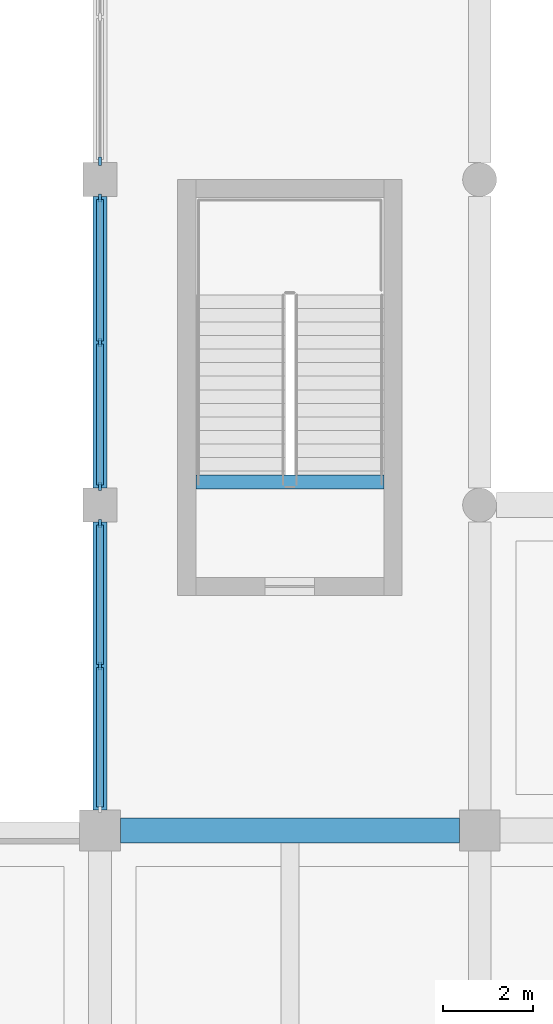
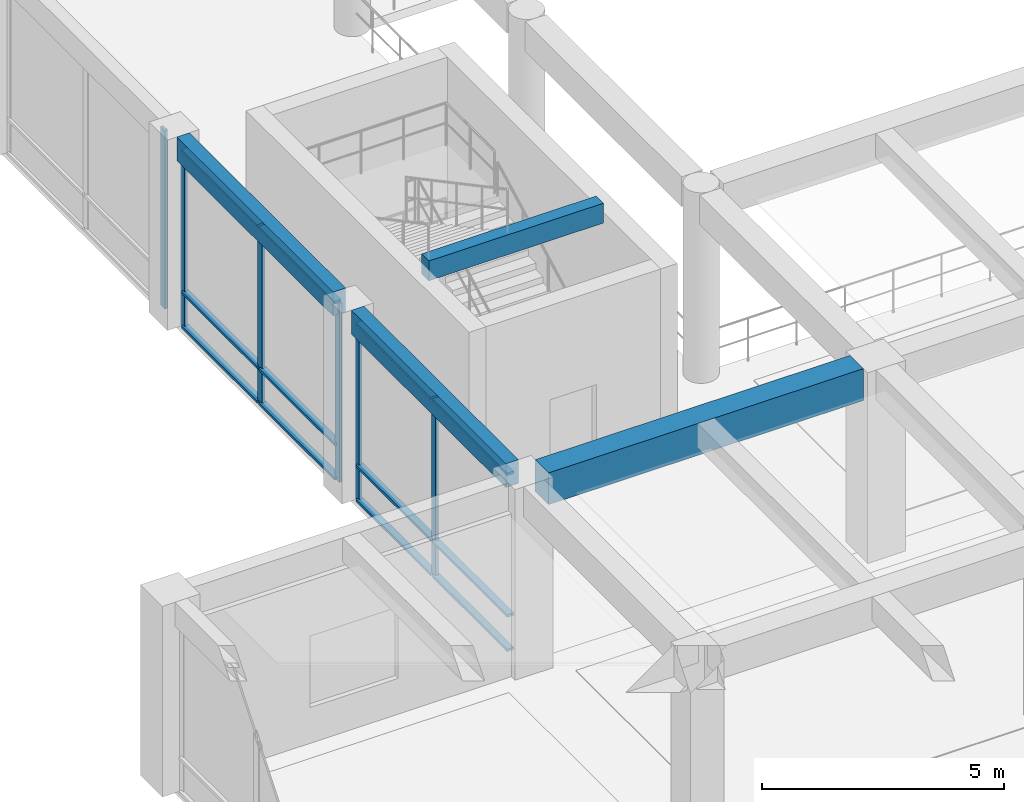
# One storey, part 10 of 52: 18 members, 4 beams, 3 elements without a shape of their own.
"""IFC4 building model written with IfcOpenShell, lengths in metres."""

from ifc_helpers import new_model, si_unit, direction, frame, origin, origin_2d, place, context, subcontext, project, spatial, rectangle, extrude, material, material_profile, profile_set, type_object, element, aggregate, save


model = new_model("IFC4")

# Units and contexts
model_context = context("Model", 3, precision=1e-05, world=origin(), true_north=direction((0.0, 1.0)))
body_context = subcontext(model_context, "Body", "Model", "MODEL_VIEW")
ifc_project = project(units=[si_unit("LENGTHUNIT", "METRE"), si_unit("AREAUNIT", "SQUARE_METRE"), si_unit("VOLUMEUNIT", "CUBIC_METRE"), si_unit("PLANEANGLEUNIT", "RADIAN"), si_unit("MASSUNIT", "GRAM", prefix="KILO")], contexts=[model_context])

# Site, building, storey
site_placement = place(None, origin())
site = spatial("IfcSite", under=ifc_project, at=site_placement, CompositionType="ELEMENT")
building_placement = place(site_placement, origin())
building = spatial("IfcBuilding", under=site, at=building_placement, Name="Kenerak Square Central Library", CompositionType="ELEMENT")
storey_placement = place(building_placement, frame((0.0, 0.0, 4.800048828125)))
storey = spatial("IfcBuildingStorey", under=building, at=storey_placement, Name="L01", CompositionType="ELEMENT", Elevation=4.800048828125)

# Beams
ifc_material_1 = material(Name="Concrete C40/50", Category="concrete")
ifc_material_profile_1 = material_profile(ifc_material_1, rectangle(XDim=0.300048828125, YDim=0.60009765625, at=origin_2d()), Name="RC 300x600")
ifc_profile_set_1 = profile_set([ifc_material_profile_1], Name="Concrete C40/50")
beam_type_1 = type_object("IfcBeamType", Name="Courtyard Spandrel Beam SP-02 RC 300x600 C40/50", PredefinedType="SPANDREL", material=ifc_profile_set_1)
beam_1_placement = place(storey_placement, frame((66.800048828125, 53.25, 4.5), z_axis=(0.0, 1.0, 0.0), x_axis=(-1.0, 0.0, 0.0)))
element("IfcBeam", 1, at=beam_1_placement, inside=storey, type_object=beam_type_1, Name="Beam SP-02 L01 1012", PredefinedType="SPANDREL", context=body_context, shape_type="SweptSolid", body=[
    extrude(rectangle(XDim=0.300048828125, YDim=0.60009765625, at=origin_2d()), origin(), (0.0, 0.0, 1.0), 6.375),
])
beam_2_placement = place(storey_placement, frame((66.800048828125, 60.375, 4.5), z_axis=(0.0, 1.0, 0.0), x_axis=(-1.0, 0.0, 0.0)))
element("IfcBeam", 2, at=beam_2_placement, inside=storey, type_object=beam_type_1, Name="Beam SP-02 L01 1013", PredefinedType="SPANDREL", context=body_context, shape_type="SweptSolid", body=[
    extrude(rectangle(XDim=0.300048828125, YDim=0.60009765625, at=origin_2d()), origin(), (0.0, 0.0, 1.0), 6.449951171875),
])

# Curtain wall, members
ifc_material_2 = material(Name="Anodised aluminium and solar-control low-E glazing", Category="aluminium")
curtain_wall_type_1 = type_object("IfcCurtainWallType", Name="Curtain Wall CW-V4-63x45 6375x4500", PredefinedType="USERDEFINED", material=ifc_material_2)
curtain_wall_1_placement = place(storey_placement, origin())
curtain_wall_1 = element("IfcCurtainWall", 3, at=curtain_wall_1_placement, inside=storey, type_object=curtain_wall_type_1, Name="Curtain Wall CW-V4-63x45 L01 0023", ObjectType="CURTAIN WALL", PredefinedType="USERDEFINED")
ifc_material_3 = material(Name="Anodised aluminium 6063-T6", Category="aluminium")
ifc_material_profile_2 = material_profile(ifc_material_3, rectangle(XDim=0.06494140625, YDim=0.179931640625, at=origin_2d()), Name="AL MULLION 65x180")
ifc_profile_set_2 = profile_set([ifc_material_profile_2], Name="Anodised aluminium 6063-T6")
member_type_1 = type_object("IfcMemberType", Name="Curtain Mullion CM-01 65x180", PredefinedType="MULLION", material=ifc_profile_set_2)
member_1_placement = place(storey_placement, frame((66.800048828125, 56.4375, 0.0), z_axis=(0.0, 0.0, 1.0), x_axis=(-1.0, 0.0, 0.0)))
member_1 = element("IfcMember", 4, at=member_1_placement, type_object=member_type_1, Name="CW-V4-63x45 Mullion 2", PredefinedType="MULLION", context=body_context, shape_type="SweptSolid", body=[
    extrude(rectangle(XDim=0.06494140625, YDim=0.179931640625, at=origin_2d()), origin(), (0.0, 0.0, 1.0), 4.5),
])
member_2_placement = place(storey_placement, frame((66.800048828125, 59.592529296875, 0.0), z_axis=(0.0, 0.0, 1.0), x_axis=(-1.0, 0.0, 0.0)))
member_2 = element("IfcMember", 5, at=member_2_placement, type_object=member_type_1, Name="CW-V4-63x45 Mullion 3", PredefinedType="MULLION", context=body_context, shape_type="SweptSolid", body=[
    extrude(rectangle(XDim=0.06494140625, YDim=0.179931640625, at=origin_2d()), origin(), (0.0, 0.0, 1.0), 4.5),
])

curtain_wall_type_2 = type_object("IfcCurtainWallType", Name="Curtain Wall CW-V4-64x45 6450x4500", PredefinedType="USERDEFINED", material=ifc_material_2)
curtain_wall_2_placement = place(storey_placement, origin())
curtain_wall_2 = element("IfcCurtainWall", 6, at=curtain_wall_2_placement, inside=storey, type_object=curtain_wall_type_2, Name="Curtain Wall CW-V4-64x45 L01 0024", ObjectType="CURTAIN WALL", PredefinedType="USERDEFINED")
member_3_placement = place(storey_placement, frame((66.800048828125, 60.407470703125, 0.0), z_axis=(0.0, 0.0, 1.0), x_axis=(-1.0, 0.0, 0.0)))
member_3 = element("IfcMember", 7, at=member_3_placement, type_object=member_type_1, Name="CW-V4-64x45 Mullion 1", PredefinedType="MULLION", context=body_context, shape_type="SweptSolid", body=[
    extrude(rectangle(XDim=0.06494140625, YDim=0.179931640625, at=origin_2d()), origin(), (0.0, 0.0, 1.0), 4.5),
])
member_4_placement = place(storey_placement, frame((66.800048828125, 63.60009765625, 0.0), z_axis=(0.0, 0.0, 1.0), x_axis=(-1.0, 0.0, 0.0)))
member_4 = element("IfcMember", 8, at=member_4_placement, type_object=member_type_1, Name="CW-V4-64x45 Mullion 2", PredefinedType="MULLION", context=body_context, shape_type="SweptSolid", body=[
    extrude(rectangle(XDim=0.06494140625, YDim=0.179931640625, at=origin_2d()), origin(), (0.0, 0.0, 1.0), 4.5),
])
member_5_placement = place(storey_placement, frame((66.800048828125, 66.79248046875, 0.0), z_axis=(0.0, 0.0, 1.0), x_axis=(-1.0, 0.0, 0.0)))
member_5 = element("IfcMember", 9, at=member_5_placement, type_object=member_type_1, Name="CW-V4-64x45 Mullion 3", PredefinedType="MULLION", context=body_context, shape_type="SweptSolid", body=[
    extrude(rectangle(XDim=0.06494140625, YDim=0.179931640625, at=origin_2d()), origin(), (0.0, 0.0, 1.0), 4.5),
])

# Curtain wall, member
curtain_wall_3_placement = place(storey_placement, origin())
curtain_wall_3 = element("IfcCurtainWall", 10, at=curtain_wall_3_placement, inside=storey, type_object=curtain_wall_type_2, Name="Curtain Wall CW-V4-64x45 L01 0025", ObjectType="CURTAIN WALL", PredefinedType="USERDEFINED")
member_6_placement = place(storey_placement, frame((66.800048828125, 67.607421875, 0.0), z_axis=(0.0, 0.0, 1.0), x_axis=(-1.0, 0.0, 0.0)))
member_6 = element("IfcMember", 11, at=member_6_placement, type_object=member_type_1, Name="CW-V4-64x45 Mullion 1", PredefinedType="MULLION", context=body_context, shape_type="SweptSolid", body=[
    extrude(rectangle(XDim=0.06494140625, YDim=0.179931640625, at=origin_2d()), origin(), (0.0, 0.0, 1.0), 4.5),
])
aggregate(curtain_wall_3, [member_6])

# Member
ifc_material_profile_3 = material_profile(ifc_material_3, rectangle(XDim=0.159912109375, YDim=0.06494140625, at=origin_2d()), Name="AL TRANSOM 160x65")
ifc_profile_set_3 = profile_set([ifc_material_profile_3], Name="Anodised aluminium 6063-T6")
member_type_2 = type_object("IfcMemberType", Name="Curtain Transom CT-11 160x65", PredefinedType="USERDEFINED", material=ifc_profile_set_3)
member_7_placement = place(storey_placement, frame((66.800048828125, 53.31494140625, 0.032470703125), z_axis=(0.0, 1.0, 0.0), x_axis=(-1.0, 0.0, 0.0)))
member_7 = element("IfcMember", 12, at=member_7_placement, type_object=member_type_2, Name="CW-V4-63x45 Transom 1.1", ObjectType="TRANSOM", PredefinedType="USERDEFINED", context=body_context, shape_type="SweptSolid", body=[
    extrude(rectangle(XDim=0.159912109375, YDim=0.06494140625, at=origin_2d()), origin(), (0.0, 0.0, 1.0), 3.090087890625),
])

member_8_placement = place(storey_placement, frame((66.800048828125, 53.31494140625, 0.89990234375), z_axis=(0.0, 1.0, 0.0), x_axis=(-1.0, 0.0, 0.0)))
member_8 = element("IfcMember", 13, at=member_8_placement, type_object=member_type_2, Name="CW-V4-63x45 Transom 1.2", ObjectType="TRANSOM", PredefinedType="USERDEFINED", context=body_context, shape_type="SweptSolid", body=[
    extrude(rectangle(XDim=0.159912109375, YDim=0.06494140625, at=origin_2d()), origin(), (0.0, 0.0, 1.0), 3.090087890625),
])

member_9_placement = place(storey_placement, frame((66.800048828125, 53.31494140625, 4.467529296875), z_axis=(0.0, 1.0, 0.0), x_axis=(-1.0, 0.0, 0.0)))
member_9 = element("IfcMember", 14, at=member_9_placement, type_object=member_type_2, Name="CW-V4-63x45 Transom 1.3", ObjectType="TRANSOM", PredefinedType="USERDEFINED", context=body_context, shape_type="SweptSolid", body=[
    extrude(rectangle(XDim=0.159912109375, YDim=0.06494140625, at=origin_2d()), origin(), (0.0, 0.0, 1.0), 3.090087890625),
])

member_10_placement = place(storey_placement, frame((66.800048828125, 56.469970703125, 0.032470703125), z_axis=(0.0, 1.0, 0.0), x_axis=(-1.0, 0.0, 0.0)))
member_10 = element("IfcMember", 15, at=member_10_placement, type_object=member_type_2, Name="CW-V4-63x45 Transom 2.1", ObjectType="TRANSOM", PredefinedType="USERDEFINED", context=body_context, shape_type="SweptSolid", body=[
    extrude(rectangle(XDim=0.159912109375, YDim=0.06494140625, at=origin_2d()), origin(), (0.0, 0.0, 1.0), 3.090087890625),
])

member_11_placement = place(storey_placement, frame((66.800048828125, 56.469970703125, 0.89990234375), z_axis=(0.0, 1.0, 0.0), x_axis=(-1.0, 0.0, 0.0)))
member_11 = element("IfcMember", 16, at=member_11_placement, type_object=member_type_2, Name="CW-V4-63x45 Transom 2.2", ObjectType="TRANSOM", PredefinedType="USERDEFINED", context=body_context, shape_type="SweptSolid", body=[
    extrude(rectangle(XDim=0.159912109375, YDim=0.06494140625, at=origin_2d()), origin(), (0.0, 0.0, 1.0), 3.090087890625),
])

member_12_placement = place(storey_placement, frame((66.800048828125, 56.469970703125, 4.467529296875), z_axis=(0.0, 1.0, 0.0), x_axis=(-1.0, 0.0, 0.0)))
member_12 = element("IfcMember", 17, at=member_12_placement, type_object=member_type_2, Name="CW-V4-63x45 Transom 2.3", ObjectType="TRANSOM", PredefinedType="USERDEFINED", context=body_context, shape_type="SweptSolid", body=[
    extrude(rectangle(XDim=0.159912109375, YDim=0.06494140625, at=origin_2d()), origin(), (0.0, 0.0, 1.0), 3.090087890625),
])

aggregate(curtain_wall_1, [member_1, member_2, member_7, member_8, member_9, member_10, member_11, member_12])

member_13_placement = place(storey_placement, frame((66.800048828125, 60.43994140625, 0.032470703125), z_axis=(0.0, 1.0, 0.0), x_axis=(-1.0, 0.0, 0.0)))
member_13 = element("IfcMember", 18, at=member_13_placement, type_object=member_type_2, Name="CW-V4-64x45 Transom 1.1", ObjectType="TRANSOM", PredefinedType="USERDEFINED", context=body_context, shape_type="SweptSolid", body=[
    extrude(rectangle(XDim=0.159912109375, YDim=0.06494140625, at=origin_2d()), origin(), (0.0, 0.0, 1.0), 3.12744140625),
])

member_14_placement = place(storey_placement, frame((66.800048828125, 60.43994140625, 0.89990234375), z_axis=(0.0, 1.0, 0.0), x_axis=(-1.0, 0.0, 0.0)))
member_14 = element("IfcMember", 19, at=member_14_placement, type_object=member_type_2, Name="CW-V4-64x45 Transom 1.2", ObjectType="TRANSOM", PredefinedType="USERDEFINED", context=body_context, shape_type="SweptSolid", body=[
    extrude(rectangle(XDim=0.159912109375, YDim=0.06494140625, at=origin_2d()), origin(), (0.0, 0.0, 1.0), 3.12744140625),
])

member_15_placement = place(storey_placement, frame((66.800048828125, 60.43994140625, 4.467529296875), z_axis=(0.0, 1.0, 0.0), x_axis=(-1.0, 0.0, 0.0)))
member_15 = element("IfcMember", 20, at=member_15_placement, type_object=member_type_2, Name="CW-V4-64x45 Transom 1.3", ObjectType="TRANSOM", PredefinedType="USERDEFINED", context=body_context, shape_type="SweptSolid", body=[
    extrude(rectangle(XDim=0.159912109375, YDim=0.06494140625, at=origin_2d()), origin(), (0.0, 0.0, 1.0), 3.12744140625),
])

member_16_placement = place(storey_placement, frame((66.800048828125, 63.632568359375, 0.032470703125), z_axis=(0.0, 1.0, 0.0), x_axis=(-1.0, 0.0, 0.0)))
member_16 = element("IfcMember", 21, at=member_16_placement, type_object=member_type_2, Name="CW-V4-64x45 Transom 2.1", ObjectType="TRANSOM", PredefinedType="USERDEFINED", context=body_context, shape_type="SweptSolid", body=[
    extrude(rectangle(XDim=0.159912109375, YDim=0.06494140625, at=origin_2d()), origin(), (0.0, 0.0, 1.0), 3.12744140625),
])

member_17_placement = place(storey_placement, frame((66.800048828125, 63.632568359375, 0.89990234375), z_axis=(0.0, 1.0, 0.0), x_axis=(-1.0, 0.0, 0.0)))
member_17 = element("IfcMember", 22, at=member_17_placement, type_object=member_type_2, Name="CW-V4-64x45 Transom 2.2", ObjectType="TRANSOM", PredefinedType="USERDEFINED", context=body_context, shape_type="SweptSolid", body=[
    extrude(rectangle(XDim=0.159912109375, YDim=0.06494140625, at=origin_2d()), origin(), (0.0, 0.0, 1.0), 3.12744140625),
])

member_18_placement = place(storey_placement, frame((66.800048828125, 63.632568359375, 4.467529296875), z_axis=(0.0, 1.0, 0.0), x_axis=(-1.0, 0.0, 0.0)))
member_18 = element("IfcMember", 23, at=member_18_placement, type_object=member_type_2, Name="CW-V4-64x45 Transom 2.3", ObjectType="TRANSOM", PredefinedType="USERDEFINED", context=body_context, shape_type="SweptSolid", body=[
    extrude(rectangle(XDim=0.159912109375, YDim=0.06494140625, at=origin_2d()), origin(), (0.0, 0.0, 1.0), 3.12744140625),
])

aggregate(curtain_wall_2, [member_3, member_4, member_5, member_13, member_14, member_15, member_16, member_17, member_18])

# Beams
ifc_material_profile_4 = material_profile(ifc_material_1, rectangle(XDim=0.300048828125, YDim=0.5, at=origin_2d()), Name="RC 300x500")
ifc_profile_set_4 = profile_set([ifc_material_profile_4], Name="Concrete C40/50")
beam_type_2 = type_object("IfcBeamType", Name="Landing Support Beam B-08 RC 300x500 C40/50", PredefinedType="BEAM", material=ifc_profile_set_4)
beam_3_placement = place(storey_placement, frame((68.919921875, 60.510009765625, 4.550048828125), z_axis=(1.0, 0.0, 0.0), x_axis=(0.0, 1.0, 0.0)))
element("IfcBeam", 24, at=beam_3_placement, inside=storey, type_object=beam_type_2, Name="Stair Threshold Beam B-08 ST-08 L02", PredefinedType="BEAM", context=body_context, shape_type="SweptSolid", body=[
    extrude(rectangle(XDim=0.300048828125, YDim=0.5, at=origin_2d()), origin(), (0.0, 0.0, 1.0), 4.16015625),
])
ifc_material_profile_5 = material_profile(ifc_material_1, rectangle(XDim=0.550048828125, YDim=0.800048828125, at=origin_2d()), Name="RC 550x800")
ifc_profile_set_5 = profile_set([ifc_material_profile_5], Name="Concrete C40/50")
beam_type_3 = type_object("IfcBeamType", Name="Primary Reading Beam B-04 RC 550x800 C40/50", PredefinedType="BEAM", material=ifc_profile_set_5)
beam_4_placement = place(storey_placement, frame((67.25, 52.800048828125, 4.39990234375), z_axis=(1.0, 0.0, 0.0), x_axis=(0.0, 1.0, 0.0)))
element("IfcBeam", 25, at=beam_4_placement, inside=storey, type_object=beam_type_3, Name="Beam B-04 L01 0917", PredefinedType="BEAM", context=body_context, shape_type="SweptSolid", body=[
    extrude(rectangle(XDim=0.550048828125, YDim=0.800048828125, at=origin_2d()), origin(), (0.0, 0.0, 1.0), 7.5),
])

save(model, "model.ifc")
